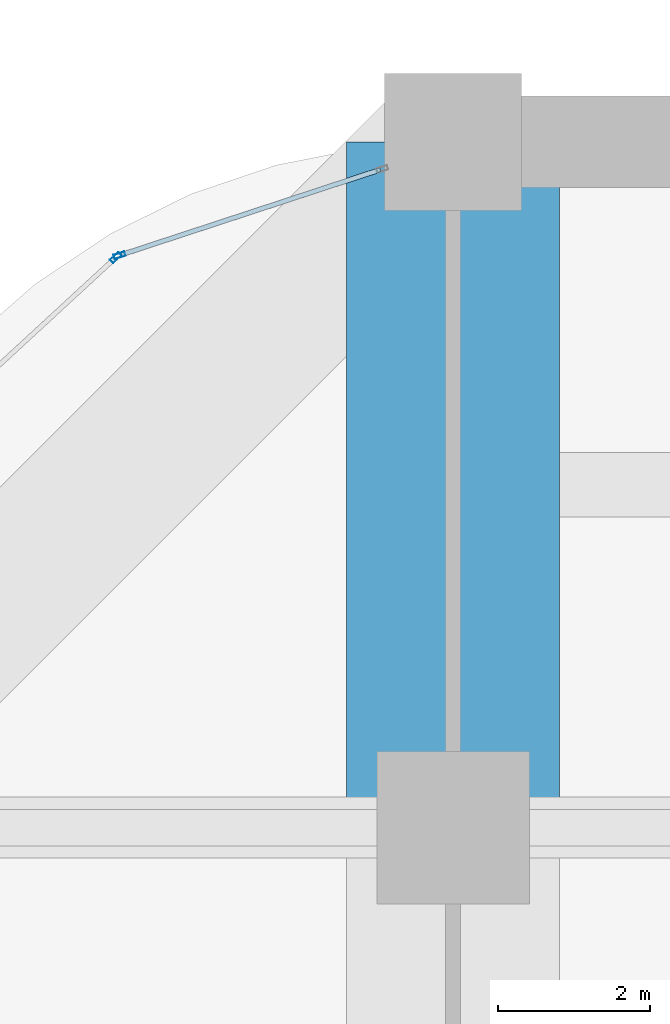
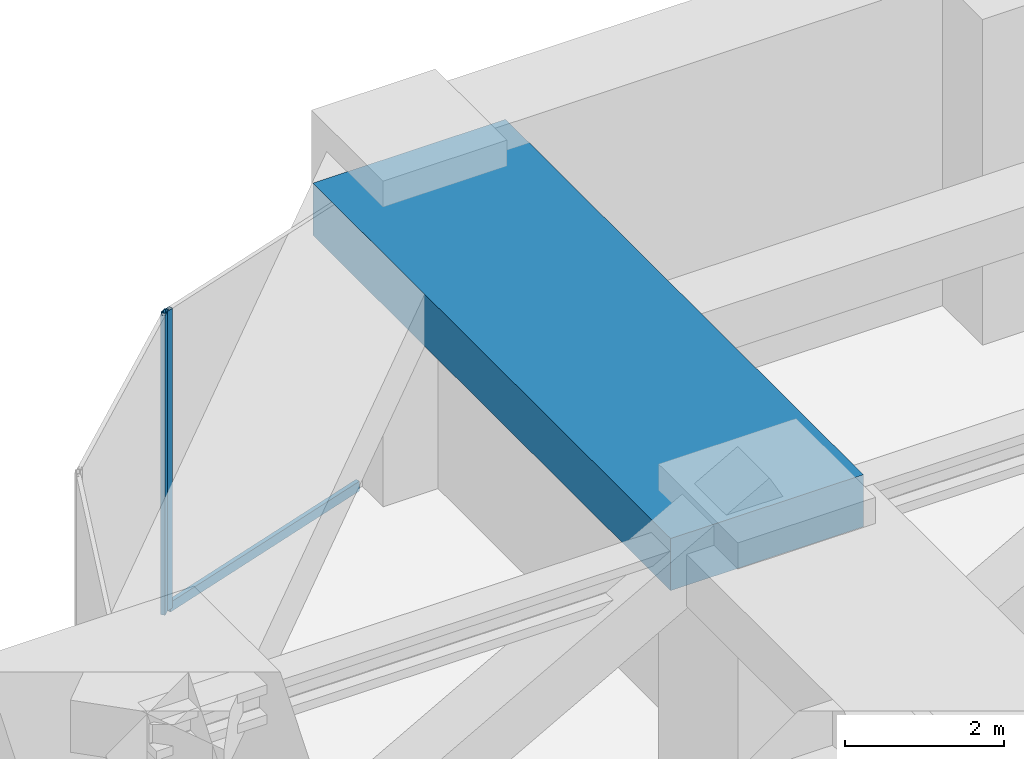
# One storey, part 24 of 38: 3 members, 1 beam, 2 elements without a shape of their own.
"""IFC4 building model written with IfcOpenShell, lengths in metres."""

from ifc_helpers import new_model, si_unit, direction, frame, origin, origin_2d, place, context, subcontext, project, spatial, rectangle, hollow_rectangle, extrude, material, material_profile, profile_set, type_object, element, aggregate, save


model = new_model("IFC4")

# Units and contexts
model_context = context("Model", 3, precision=1e-05, world=origin(), true_north=direction((0.0, 1.0)))
body_context = subcontext(model_context, "Body", "Model", "MODEL_VIEW")
ifc_project = project(units=[si_unit("LENGTHUNIT", "METRE"), si_unit("AREAUNIT", "SQUARE_METRE"), si_unit("VOLUMEUNIT", "CUBIC_METRE"), si_unit("PLANEANGLEUNIT", "RADIAN"), si_unit("MASSUNIT", "GRAM", prefix="KILO")], contexts=[model_context])

# Site, building, storey
site_placement = place(None, origin())
site = spatial("IfcSite", under=ifc_project, at=site_placement, CompositionType="ELEMENT")
building_placement = place(site_placement, origin())
building = spatial("IfcBuilding", under=site, at=building_placement, Name="Zorevar Civic Tower", CompositionType="ELEMENT")
storey_placement = place(building_placement, frame((0.0, 0.0, 157.199951171875)))
storey = spatial("IfcBuildingStorey", under=building, at=storey_placement, Name="L38", CompositionType="ELEMENT", Elevation=157.199951171875)

# Beam
ifc_material_1 = material(Name="Concrete C50/60", Category="concrete")
ifc_material_profile_1 = material_profile(ifc_material_1, rectangle(XDim=2.800048828125, YDim=0.800048828125, at=origin_2d()), Name="RC 2800x800")
ifc_profile_set_1 = profile_set([ifc_material_profile_1], Name="Concrete C50/60")
beam_type = type_object("IfcBeamType", Name="Beam RC 2800x800", PredefinedType="BEAM", material=ifc_profile_set_1)
beam_placement = place(storey_placement, frame((9.0, 36.0, 4.199951171875), z_axis=(0.0, 1.0, 0.0), x_axis=(-1.0, 0.0, 0.0)))
element("IfcBeam", 1, at=beam_placement, inside=storey, type_object=beam_type, Name="Girder L39", PredefinedType="BEAM", context=body_context, shape_type="SweptSolid", body=[
    extrude(rectangle(XDim=2.800048828125, YDim=0.800048828125, at=origin_2d()), origin(), (0.0, 0.0, 1.0), 9.0),
])

# Curtain wall, member
ifc_material_2 = material(Name="Black aluminium louvres", Category="aluminium")
curtain_wall_type = type_object("IfcCurtainWallType", Name="Louvred curtain wall CW6 refuge", PredefinedType="NOTDEFINED", material=ifc_material_2)
curtain_wall_1_placement = place(storey_placement, origin())
curtain_wall_1 = element("IfcCurtainWall", 2, at=curtain_wall_1_placement, inside=storey, type_object=curtain_wall_type, Name="CW6 L38", PredefinedType="NOTDEFINED")
ifc_material_3 = material(Name="Aluminium, black anodised", Category="aluminium")
ifc_material_profile_2 = material_profile(ifc_material_3, hollow_rectangle(XDim=0.06005859375, YDim=0.14990234375, WallThickness=0.00390625, at=origin_2d()), Name="AL 150x60x4")
ifc_profile_set_2 = profile_set([ifc_material_profile_2], Name="Aluminium, black anodised")
member_type_1 = type_object("IfcMemberType", Name="CW6 mullion AL 150x60x4", PredefinedType="MULLION", material=ifc_profile_set_2)
member_1_placement = place(storey_placement, frame((4.62255859375, 43.51123046875, 0.0), z_axis=(0.0, 0.0, 1.0), x_axis=(0.31203637361, -0.950070156117, 0.0)))
member_1 = element("IfcMember", 3, at=member_1_placement, type_object=member_type_1, Name="CW6 mullion 2", PredefinedType="MULLION", context=body_context, shape_type="SweptSolid", body=[
    extrude(hollow_rectangle(XDim=0.06005859375, YDim=0.14990234375, WallThickness=0.00390625, at=origin_2d()), origin(), (0.0, 0.0, 1.0), 4.60009765625),
])

curtain_wall_2_placement = place(storey_placement, origin())
curtain_wall_2 = element("IfcCurtainWall", 4, at=curtain_wall_2_placement, inside=storey, type_object=curtain_wall_type, Name="CW6 L38", PredefinedType="NOTDEFINED")
member_2_placement = place(storey_placement, frame((4.572021484375, 43.4814453125, 0.0), z_axis=(0.0, 0.0, 1.0), x_axis=(0.677777450165, -0.7352671134, 0.0)))
member_2 = element("IfcMember", 5, at=member_2_placement, type_object=member_type_1, Name="CW6 mullion 1", PredefinedType="MULLION", context=body_context, shape_type="SweptSolid", body=[
    extrude(hollow_rectangle(XDim=0.06005859375, YDim=0.14990234375, WallThickness=0.00390625, at=origin_2d()), origin(), (0.0, 0.0, 1.0), 4.60009765625),
])
aggregate(curtain_wall_2, [member_2])

# Member
ifc_material_4 = material(Name="Aluminium, black anodised", Category="aluminium")
ifc_material_profile_3 = material_profile(ifc_material_4, hollow_rectangle(XDim=0.06005859375, YDim=0.14990234375, WallThickness=0.00390625, at=origin_2d()), Name="AL 150x60x4")
ifc_profile_set_3 = profile_set([ifc_material_profile_3], Name="Aluminium, black anodised")
member_type_2 = type_object("IfcMemberType", Name="CW6 transom AL 150x60x4", PredefinedType="USERDEFINED", material=ifc_profile_set_3)
member_3_placement = place(storey_placement, frame((8.04296875, 44.634521484375, 0.030029296875), z_axis=(-0.950069115138, -0.312039543106, 0.0), x_axis=(0.312039543106, -0.950069115138, 0.0)))
member_3 = element("IfcMember", 6, at=member_3_placement, type_object=member_type_2, Name="CW6 sill transom", ObjectType="TRANSOM", PredefinedType="USERDEFINED", context=body_context, shape_type="SweptSolid", body=[
    extrude(hollow_rectangle(XDim=0.06005859375, YDim=0.14990234375, WallThickness=0.00390625, at=origin_2d()), origin(), (0.0, 0.0, 1.0), 3.570068359375),
])

aggregate(curtain_wall_1, [member_1, member_3])

save(model, "model.ifc")
